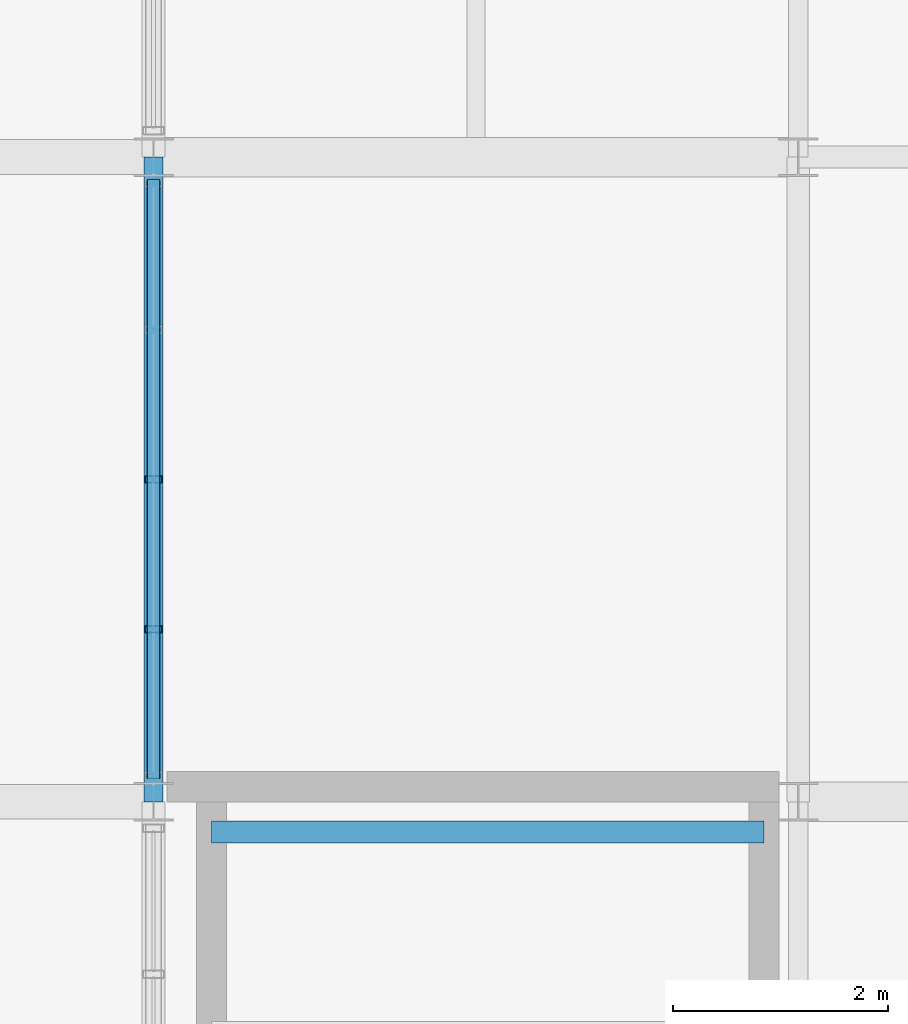
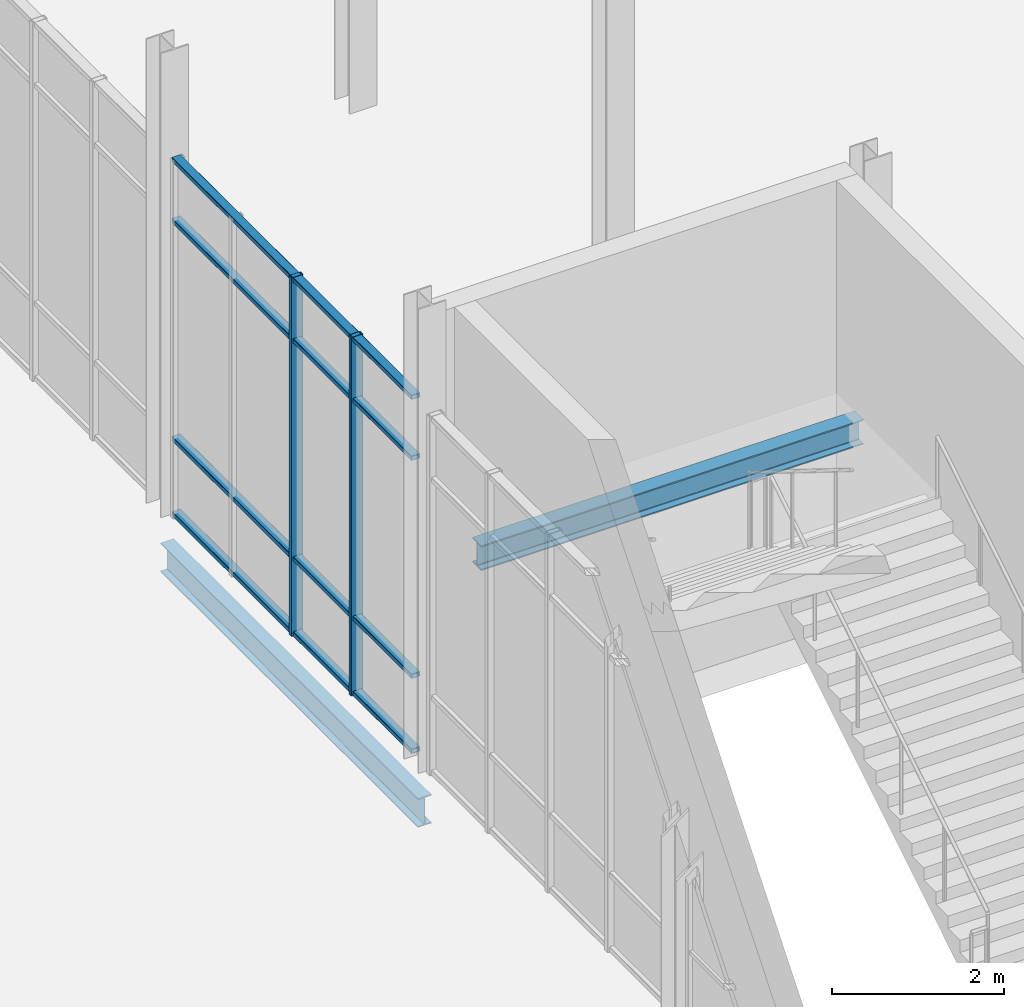
# One storey, part 80 of 140: 6 members, 2 beams, 1 element without a shape of its own.
"""IFC4 building model written with IfcOpenShell, lengths in metres."""

from ifc_helpers import new_model, si_unit, direction, frame, origin, origin_2d, place, context, subcontext, project, spatial, hollow_rectangle, i_section, extrude, material, material_profile, profile_set, type_object, element, aggregate, save


model = new_model("IFC4")

# Units and contexts
model_context = context("Model", 3, precision=1e-05, world=origin(), true_north=direction((0.0, 1.0)))
body_context = subcontext(model_context, "Body", "Model", "MODEL_VIEW")
ifc_project = project(units=[si_unit("LENGTHUNIT", "METRE"), si_unit("AREAUNIT", "SQUARE_METRE"), si_unit("VOLUMEUNIT", "CUBIC_METRE"), si_unit("PLANEANGLEUNIT", "RADIAN"), si_unit("MASSUNIT", "GRAM", prefix="KILO")], contexts=[model_context])

# Site, building, storey
site_placement = place(None, origin())
site = spatial("IfcSite", under=ifc_project, at=site_placement, CompositionType="ELEMENT")
building_placement = place(site_placement, origin())
building = spatial("IfcBuilding", under=site, at=building_placement, Name="Verrall Gate Interchange", CompositionType="ELEMENT")
storey_placement = place(building_placement, origin())
storey = spatial("IfcBuildingStorey", under=building, at=storey_placement, Name="L01", CompositionType="ELEMENT", Elevation=0.0)

# Beams
ifc_material_1 = material(Name="Structural Steel CSA G40.21 350W", Category="steel")
ifc_material_profile_1 = material_profile(ifc_material_1, i_section(OverallWidth=0.178955078125, OverallDepth=0.409912109375, WebThickness=0.0087890625, FlangeThickness=0.014404296875, FilletRadius=0.011962890625, at=origin_2d()), Name="W410x67")
ifc_profile_set_1 = profile_set([ifc_material_profile_1], Name="Structural Steel CSA G40.21 350W")
beam_type_1 = type_object("IfcBeamType", Name="B-12 Structural Beam W410x67", PredefinedType="BEAM", material=ifc_profile_set_1)
beam_1_placement = place(storey_placement, frame((132.0, 28.0, -0.705078125), z_axis=(0.0, 1.0, 0.0), x_axis=(-1.0, 0.0, 0.0)))
element("IfcBeam", 1, at=beam_1_placement, inside=storey, type_object=beam_type_1, Name="L01 Girder BM-L01-1198 (B-12)", PredefinedType="BEAM", context=body_context, shape_type="SweptSolid", body=[
    extrude(i_section(OverallWidth=0.178955078125, OverallDepth=0.409912109375, WebThickness=0.0087890625, FlangeThickness=0.014404296875, FilletRadius=0.011962890625, at=origin_2d()), origin(), (0.0, 0.0, 1.0), 6.0),
])
ifc_material_2 = material(Name="Structural Steel CSA G40.21 350W", Category="steel")
ifc_material_profile_2 = material_profile(ifc_material_2, i_section(OverallWidth=0.205078125, OverallDepth=0.35400390625, WebThickness=0.009521484375, FlangeThickness=0.016845703125, FilletRadius=0.012939453125, at=origin_2d()), Name="W360x79")
ifc_profile_set_2 = profile_set([ifc_material_profile_2], Name="Structural Steel CSA G40.21 350W")
beam_type_2 = type_object("IfcBeamType", Name="B-14 Structural Beam W360x79", PredefinedType="BEAM", material=ifc_profile_set_2)
beam_2_placement = place(storey_placement, frame((132.5400390625, 27.719970703125, 2.929931640625), z_axis=(1.0, 0.0, 0.0), x_axis=(0.0, 1.0, 0.0)))
element("IfcBeam", 2, at=beam_2_placement, inside=storey, type_object=beam_type_2, Name="L01 Core C8 Mid-Landing Beam 2", PredefinedType="BEAM", context=body_context, shape_type="SweptSolid", body=[
    extrude(i_section(OverallWidth=0.205078125, OverallDepth=0.35400390625, WebThickness=0.009521484375, FlangeThickness=0.016845703125, FilletRadius=0.012939453125, at=origin_2d()), origin(), (0.0, 0.0, 1.0), 5.139892578125),
])

# Curtain wall, members
ifc_material_3 = material(Name="Thermally Broken Anodized Aluminium Curtain Wall Framing", Category="aluminium")
curtain_wall_type = type_object("IfcCurtainWallType", Name="CW-04 Unitized Curtain Wall 5631x5100", PredefinedType="NOTDEFINED", material=ifc_material_3)
curtain_wall_placement = place(storey_placement, origin())
curtain_wall = element("IfcCurtainWall", 3, at=curtain_wall_placement, inside=storey, type_object=curtain_wall_type, Name="L01 Unitized Curtain Wall CW-L01-048", PredefinedType="NOTDEFINED")
ifc_material_4 = material(Name="Thermally Broken Anodized Aluminium Curtain Wall Framing", Category="aluminium")
ifc_material_profile_3 = material_profile(ifc_material_4, hollow_rectangle(XDim=0.06494140625, YDim=0.159912109375, WallThickness=0.00390625, InnerFilletRadius=0.00390625, OuterFilletRadius=0.008056640625, at=origin_2d()), Name="CWM160x65x4")
ifc_profile_set_3 = profile_set([ifc_material_profile_3], Name="Thermally Broken Anodized Aluminium Curtain Wall Framing")
member_type_1 = type_object("IfcMemberType", Name="CM-01 Curtain Mullion CWM160x65x4", PredefinedType="MULLION", material=ifc_profile_set_3)
member_1_placement = place(storey_placement, frame((132.0, 31.0, 0.0), z_axis=(0.0, 0.0, 1.0), x_axis=(0.0, -1.0, 0.0)))
member_1 = element("IfcMember", 4, at=member_1_placement, type_object=member_type_1, Name="CW-L01-048 Mullion 3", PredefinedType="MULLION", context=body_context, shape_type="SweptSolid", body=[
    extrude(hollow_rectangle(XDim=0.06494140625, YDim=0.159912109375, WallThickness=0.00390625, InnerFilletRadius=0.00390625, OuterFilletRadius=0.008056640625, at=origin_2d()), origin(), (0.0, 0.0, 1.0), 5.10009765625),
])
member_2_placement = place(storey_placement, frame((132.0, 29.60498046875, 0.0), z_axis=(0.0, 0.0, 1.0), x_axis=(0.0, -1.0, 0.0)))
member_2 = element("IfcMember", 5, at=member_2_placement, type_object=member_type_1, Name="CW-L01-048 Mullion 4", PredefinedType="MULLION", context=body_context, shape_type="SweptSolid", body=[
    extrude(hollow_rectangle(XDim=0.06494140625, YDim=0.159912109375, WallThickness=0.00390625, InnerFilletRadius=0.00390625, OuterFilletRadius=0.008056640625, at=origin_2d()), origin(), (0.0, 0.0, 1.0), 5.10009765625),
])
ifc_material_5 = material(Name="Thermally Broken Anodized Aluminium Curtain Wall Framing", Category="aluminium")
ifc_material_profile_4 = material_profile(ifc_material_5, hollow_rectangle(XDim=0.1201171875, YDim=0.06494140625, WallThickness=0.00390625, InnerFilletRadius=0.00390625, OuterFilletRadius=0.008056640625, at=origin_2d()), Name="CWT120x65x4")
ifc_profile_set_4 = profile_set([ifc_material_profile_4], Name="Thermally Broken Anodized Aluminium Curtain Wall Framing")
member_type_2 = type_object("IfcMemberType", Name="CT-01 Curtain Transom CWT120x65x4", PredefinedType="USERDEFINED", material=ifc_profile_set_4)
member_3_placement = place(storey_placement, frame((132.0, 33.7900390625, 0.032470703125), z_axis=(0.0, -1.0, 0.0), x_axis=(1.0, 0.0, 0.0)))
member_3 = element("IfcMember", 6, at=member_3_placement, type_object=member_type_2, Name="CW-L01-048 Transom 1", ObjectType="TRANSOM", PredefinedType="USERDEFINED", context=body_context, shape_type="SweptSolid", body=[
    extrude(hollow_rectangle(XDim=0.1201171875, YDim=0.06494140625, WallThickness=0.00390625, InnerFilletRadius=0.00390625, OuterFilletRadius=0.008056640625, at=origin_2d()), origin(), (0.0, 0.0, 1.0), 5.580078125),
])
member_4_placement = place(storey_placement, frame((132.0, 33.7900390625, 1.10009765625), z_axis=(0.0, -1.0, 0.0), x_axis=(1.0, 0.0, 0.0)))
member_4 = element("IfcMember", 7, at=member_4_placement, type_object=member_type_2, Name="CW-L01-048 Transom 2", ObjectType="TRANSOM", PredefinedType="USERDEFINED", context=body_context, shape_type="SweptSolid", body=[
    extrude(hollow_rectangle(XDim=0.1201171875, YDim=0.06494140625, WallThickness=0.00390625, InnerFilletRadius=0.00390625, OuterFilletRadius=0.008056640625, at=origin_2d()), origin(), (0.0, 0.0, 1.0), 5.580078125),
])
member_5_placement = place(storey_placement, frame((132.0, 33.7900390625, 4.199951171875), z_axis=(0.0, -1.0, 0.0), x_axis=(1.0, 0.0, 0.0)))
member_5 = element("IfcMember", 8, at=member_5_placement, type_object=member_type_2, Name="CW-L01-048 Transom 3", ObjectType="TRANSOM", PredefinedType="USERDEFINED", context=body_context, shape_type="SweptSolid", body=[
    extrude(hollow_rectangle(XDim=0.1201171875, YDim=0.06494140625, WallThickness=0.00390625, InnerFilletRadius=0.00390625, OuterFilletRadius=0.008056640625, at=origin_2d()), origin(), (0.0, 0.0, 1.0), 5.580078125),
])
member_6_placement = place(storey_placement, frame((132.0, 33.7900390625, 5.0673828125), z_axis=(0.0, -1.0, 0.0), x_axis=(1.0, 0.0, 0.0)))
member_6 = element("IfcMember", 9, at=member_6_placement, type_object=member_type_2, Name="CW-L01-048 Transom 4", ObjectType="TRANSOM", PredefinedType="USERDEFINED", context=body_context, shape_type="SweptSolid", body=[
    extrude(hollow_rectangle(XDim=0.1201171875, YDim=0.06494140625, WallThickness=0.00390625, InnerFilletRadius=0.00390625, OuterFilletRadius=0.008056640625, at=origin_2d()), origin(), (0.0, 0.0, 1.0), 5.580078125),
])
aggregate(curtain_wall, [member_1, member_2, member_3, member_4, member_5, member_6])

save(model, "model.ifc")
